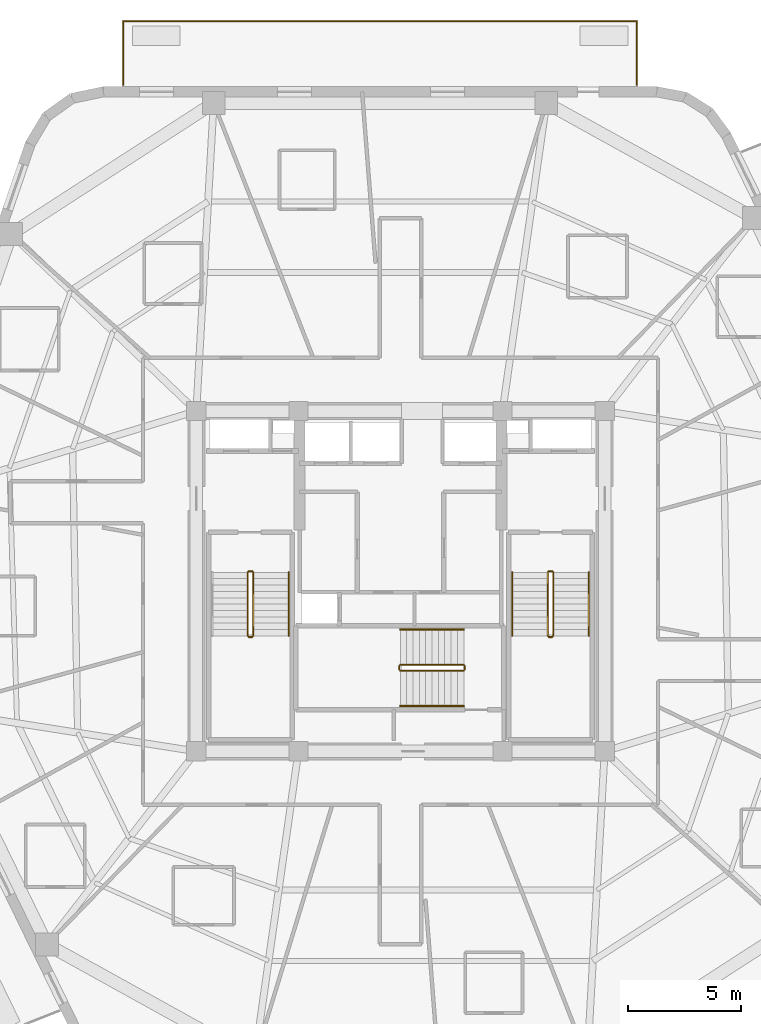
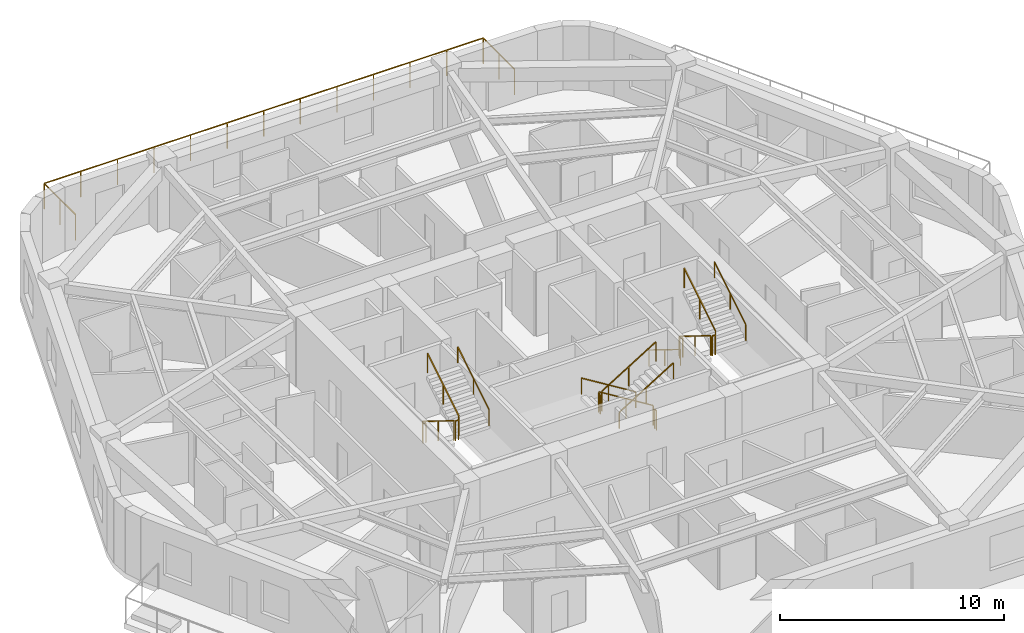
# One storey, part 9 of 10: 18 railings.
"""IFC4 building model written with IfcOpenShell, lengths in metres."""

from ifc_helpers import new_model, si_unit, direction, frame, origin, origin_2d, place, context, subcontext, project, spatial, rectangle, extrude, material, layer, layer_set, type_object, element, save


model = new_model("IFC4")

# Units and contexts
model_context = context("Model", 3, precision=1e-05, world=origin(), true_north=direction((0.0, 1.0)))
body_context = subcontext(model_context, "Body", "Model", "MODEL_VIEW")
ifc_project = project(units=[si_unit("LENGTHUNIT", "METRE"), si_unit("AREAUNIT", "SQUARE_METRE"), si_unit("VOLUMEUNIT", "CUBIC_METRE"), si_unit("PLANEANGLEUNIT", "RADIAN"), si_unit("MASSUNIT", "GRAM", prefix="KILO")], contexts=[model_context])

# Site, building, storey
site_placement = place(None, origin())
site = spatial("IfcSite", under=ifc_project, at=site_placement, CompositionType="ELEMENT")
building_placement = place(site_placement, origin())
building = spatial("IfcBuilding", under=site, at=building_placement, Name="Kilnhurst Terrace Hotel", CompositionType="ELEMENT")
storey_placement = place(building_placement, frame((0.0, 0.0, 244.5)))
storey = spatial("IfcBuildingStorey", under=building, at=storey_placement, Name="L61", CompositionType="ELEMENT", Elevation=244.5)

# Railings
ifc_material_1 = material(Name="Laminated SentryGlas and Stainless Steel AISI 316L Balustrade", Category="steel")
ifc_layer_1 = layer(ifc_material_1, 0.070068359375, Name="Laminated SentryGlas and Stainless Steel AISI 316L Balustrade")
ifc_layer_set_1 = layer_set([ifc_layer_1], Name="Laminated SentryGlas and Stainless Steel AISI 316L Balustrade")
railing_type_1 = type_object("IfcRailingType", Name="RLG-BAL-1420", PredefinedType="BALUSTRADE", material=ifc_layer_set_1)
railing_1_placement = place(storey_placement, frame((-12.21484375, 21.8798828125, 0.0)))
element("IfcRailing", 1, at=railing_1_placement, inside=storey, type_object=railing_type_1, Name="L61 Exterior Terrace Guardrail BAL-L1B.1", PredefinedType="BALUSTRADE", context=body_context, shape_type="SweptSolid", body=[
    extrude(rectangle(XDim=0.048095703125, YDim=0.048095703125, at=origin_2d()), frame((0.0, 0.0, 1.39599609375), z_axis=(0.0, 1.0, 0.0), x_axis=(-1.0, 0.0, 0.0)), (0.0, 0.0, 1.0), 2.800048828125),
    extrude(rectangle(XDim=0.048095703125, YDim=0.048095703125, at=origin_2d()), frame((0.0, 2.800048828125, 1.39599609375), z_axis=(1.0, 0.0, 0.0), x_axis=(0.0, 1.0, 0.0)), (0.0, 0.0, 1.0), 22.62353515625),
    extrude(rectangle(XDim=0.048095703125, YDim=0.048095703125, at=origin_2d()), frame((22.62353515625, 2.800048828125, 1.39599609375), z_axis=(0.0, -1.0, 0.0), x_axis=(1.0, 0.0, 0.0)), (0.0, 0.0, 1.0), 2.800048828125),
    extrude(rectangle(XDim=0.0419921875, YDim=0.0419921875, at=origin_2d()), origin(), (0.0, 0.0, 1.0), 1.371826171875),
    extrude(rectangle(XDim=0.0419921875, YDim=0.0419921875, at=origin_2d()), frame((0.0, 1.39990234375, 0.0)), (0.0, 0.0, 1.0), 1.371826171875),
    extrude(rectangle(XDim=0.0419921875, YDim=0.0419921875, at=origin_2d()), frame((0.0, 2.800048828125, 0.0)), (0.0, 0.0, 1.0), 1.371826171875),
    extrude(rectangle(XDim=0.0419921875, YDim=0.0419921875, at=origin_2d()), frame((1.88525390625, 2.800048828125, 0.0)), (0.0, 0.0, 1.0), 1.371826171875),
    extrude(rectangle(XDim=0.0419921875, YDim=0.0419921875, at=origin_2d()), frame((3.7705078125, 2.800048828125, 0.0)), (0.0, 0.0, 1.0), 1.371826171875),
    extrude(rectangle(XDim=0.0419921875, YDim=0.0419921875, at=origin_2d()), frame((5.65576171875, 2.800048828125, 0.0)), (0.0, 0.0, 1.0), 1.371826171875),
    extrude(rectangle(XDim=0.0419921875, YDim=0.0419921875, at=origin_2d()), frame((7.541259765625, 2.800048828125, 0.0)), (0.0, 0.0, 1.0), 1.371826171875),
    extrude(rectangle(XDim=0.0419921875, YDim=0.0419921875, at=origin_2d()), frame((9.426513671875, 2.800048828125, 0.0)), (0.0, 0.0, 1.0), 1.371826171875),
    extrude(rectangle(XDim=0.0419921875, YDim=0.0419921875, at=origin_2d()), frame((11.311767578125, 2.800048828125, 0.0)), (0.0, 0.0, 1.0), 1.371826171875),
    extrude(rectangle(XDim=0.0419921875, YDim=0.0419921875, at=origin_2d()), frame((13.197021484375, 2.800048828125, 0.0)), (0.0, 0.0, 1.0), 1.371826171875),
    extrude(rectangle(XDim=0.0419921875, YDim=0.0419921875, at=origin_2d()), frame((15.082275390625, 2.800048828125, 0.0)), (0.0, 0.0, 1.0), 1.371826171875),
    extrude(rectangle(XDim=0.0419921875, YDim=0.0419921875, at=origin_2d()), frame((16.9677734375, 2.800048828125, 0.0)), (0.0, 0.0, 1.0), 1.371826171875),
    extrude(rectangle(XDim=0.0419921875, YDim=0.0419921875, at=origin_2d()), frame((18.85302734375, 2.800048828125, 0.0)), (0.0, 0.0, 1.0), 1.371826171875),
    extrude(rectangle(XDim=0.0419921875, YDim=0.0419921875, at=origin_2d()), frame((20.73828125, 2.800048828125, 0.0)), (0.0, 0.0, 1.0), 1.371826171875),
    extrude(rectangle(XDim=0.0419921875, YDim=0.0419921875, at=origin_2d()), frame((22.62353515625, 2.800048828125, 0.0)), (0.0, 0.0, 1.0), 1.371826171875),
    extrude(rectangle(XDim=0.0419921875, YDim=0.0419921875, at=origin_2d()), frame((22.62353515625, 1.39990234375, 0.0)), (0.0, 0.0, 1.0), 1.371826171875),
    extrude(rectangle(XDim=0.0419921875, YDim=0.0419921875, at=origin_2d()), frame((22.62353515625, 0.0, 0.0)), (0.0, 0.0, 1.0), 1.371826171875),
])
ifc_material_2 = material(Name="Powder-Coated Steel ASTM A500 Grade B", Category="steel")
ifc_layer_2 = layer(ifc_material_2, 0.050048828125, Name="Powder-Coated Steel ASTM A500 Grade B")
ifc_layer_set_2 = layer_set([ifc_layer_2], Name="Powder-Coated Steel ASTM A500 Grade B")
railing_type_2 = type_object("IfcRailingType", Name="RLG-ST-GRD-1100", PredefinedType="GUARDRAIL", material=ifc_layer_set_2)
railing_2_placement = place(storey_placement, frame((-6.739990234375, 0.389892578125, 0.172607421875)))
element("IfcRailing", 2, at=railing_2_placement, inside=storey, type_object=railing_type_2, Name="L61 ST-1 stair guard 1", PredefinedType="GUARDRAIL", context=body_context, shape_type="SweptSolid", body=[
    extrude(rectangle(XDim=0.048095703125, YDim=0.048095703125, at=origin_2d()), frame((0.0, 0.0, 1.076171875), z_axis=(0.0, -0.851069175582, 0.525053576669), x_axis=(1.0, 0.0, 0.0)), (0.0, 0.0, 1.0), 3.289794921875),
    extrude(rectangle(XDim=0.0419921875, YDim=0.0419921875, at=origin_2d()), origin(), (0.0, 0.0, 1.0), 1.052001953125),
    extrude(rectangle(XDim=0.0419921875, YDim=0.0419921875, at=origin_2d()), frame((0.0, -1.39990234375, 0.86376953125)), (0.0, 0.0, 1.0), 1.052001953125),
    extrude(rectangle(XDim=0.0419921875, YDim=0.0419921875, at=origin_2d()), frame((0.0, -2.7998046875, 1.727294921875)), (0.0, 0.0, 1.0), 1.052001953125),
])
railing_3_placement = place(storey_placement, frame((-6.68994140625, -2.4599609375, 1.89990234375)))
element("IfcRailing", 3, at=railing_3_placement, inside=storey, type_object=railing_type_2, Name="L61 ST-1 stair guard 2", PredefinedType="GUARDRAIL", context=body_context, shape_type="SweptSolid", body=[
    extrude(rectangle(XDim=0.048095703125, YDim=0.048095703125, at=origin_2d()), frame((0.0, 0.0, 1.076171875), z_axis=(1.0, 0.0, 0.0), x_axis=(0.0, 1.0, 0.0)), (0.0, 0.0, 1.0), 0.14990234375),
    extrude(rectangle(XDim=0.0419921875, YDim=0.0419921875, at=origin_2d()), origin(), (0.0, 0.0, 1.0), 1.052001953125),
    extrude(rectangle(XDim=0.0419921875, YDim=0.0419921875, at=origin_2d()), frame((0.14990234375, 0.0, 0.0)), (0.0, 0.0, 1.0), 1.052001953125),
])
railing_4_placement = place(storey_placement, frame((-6.489990234375, -2.409912109375, 2.07275390625)))
element("IfcRailing", 4, at=railing_4_placement, inside=storey, type_object=railing_type_2, Name="L61 ST-1 stair guard 3", PredefinedType="GUARDRAIL", context=body_context, shape_type="SweptSolid", body=[
    extrude(rectangle(XDim=0.048095703125, YDim=0.048095703125, at=origin_2d()), frame((0.0, 0.0, 1.076171875), z_axis=(0.0, 0.851069175582, 0.525053576669), x_axis=(-1.0, 0.0, 0.0)), (0.0, 0.0, 1.0), 3.289794921875),
    extrude(rectangle(XDim=0.0419921875, YDim=0.0419921875, at=origin_2d()), origin(), (0.0, 0.0, 1.0), 1.052001953125),
    extrude(rectangle(XDim=0.0419921875, YDim=0.0419921875, at=origin_2d()), frame((0.0, 1.39990234375, 0.86376953125)), (0.0, 0.0, 1.0), 1.052001953125),
    extrude(rectangle(XDim=0.0419921875, YDim=0.0419921875, at=origin_2d()), frame((0.0, 2.7998046875, 1.727294921875)), (0.0, 0.0, 1.0), 1.052001953125),
])
railing_5_placement = place(storey_placement, frame((-6.68994140625, 0.43994140625, 0.0)))
element("IfcRailing", 5, at=railing_5_placement, inside=storey, type_object=railing_type_2, Name="L61 ST-1 stair guard 4", PredefinedType="GUARDRAIL", context=body_context, shape_type="SweptSolid", body=[
    extrude(rectangle(XDim=0.048095703125, YDim=0.048095703125, at=origin_2d()), frame((0.0, 0.0, 1.076171875), z_axis=(1.0, 0.0, 0.0), x_axis=(0.0, 1.0, 0.0)), (0.0, 0.0, 1.0), 0.14990234375),
    extrude(rectangle(XDim=0.0419921875, YDim=0.0419921875, at=origin_2d()), origin(), (0.0, 0.0, 1.0), 1.052001953125),
    extrude(rectangle(XDim=0.0419921875, YDim=0.0419921875, at=origin_2d()), frame((0.14990234375, 0.0, 0.0)), (0.0, 0.0, 1.0), 1.052001953125),
])
railing_6_placement = place(storey_placement, frame((6.489990234375, 0.389892578125, 0.172607421875)))
element("IfcRailing", 6, at=railing_6_placement, inside=storey, type_object=railing_type_2, Name="L61 ST-2 stair guard 1", PredefinedType="GUARDRAIL", context=body_context, shape_type="SweptSolid", body=[
    extrude(rectangle(XDim=0.048095703125, YDim=0.048095703125, at=origin_2d()), frame((0.0, 0.0, 1.076171875), z_axis=(0.0, -0.851069175582, 0.525053576669), x_axis=(1.0, 0.0, 0.0)), (0.0, 0.0, 1.0), 3.289794921875),
    extrude(rectangle(XDim=0.0419921875, YDim=0.0419921875, at=origin_2d()), origin(), (0.0, 0.0, 1.0), 1.052001953125),
    extrude(rectangle(XDim=0.0419921875, YDim=0.0419921875, at=origin_2d()), frame((0.0, -1.39990234375, 0.86376953125)), (0.0, 0.0, 1.0), 1.052001953125),
    extrude(rectangle(XDim=0.0419921875, YDim=0.0419921875, at=origin_2d()), frame((0.0, -2.7998046875, 1.727294921875)), (0.0, 0.0, 1.0), 1.052001953125),
])
railing_7_placement = place(storey_placement, frame((6.5400390625, -2.4599609375, 1.89990234375)))
element("IfcRailing", 7, at=railing_7_placement, inside=storey, type_object=railing_type_2, Name="L61 ST-2 stair guard 2", PredefinedType="GUARDRAIL", context=body_context, shape_type="SweptSolid", body=[
    extrude(rectangle(XDim=0.048095703125, YDim=0.048095703125, at=origin_2d()), frame((0.0, 0.0, 1.076171875), z_axis=(1.0, 0.0, 0.0), x_axis=(0.0, 1.0, 0.0)), (0.0, 0.0, 1.0), 0.14990234375),
    extrude(rectangle(XDim=0.0419921875, YDim=0.0419921875, at=origin_2d()), origin(), (0.0, 0.0, 1.0), 1.052001953125),
    extrude(rectangle(XDim=0.0419921875, YDim=0.0419921875, at=origin_2d()), frame((0.14990234375, 0.0, 0.0)), (0.0, 0.0, 1.0), 1.052001953125),
])
railing_8_placement = place(storey_placement, frame((6.739990234375, -2.409912109375, 2.07275390625)))
element("IfcRailing", 8, at=railing_8_placement, inside=storey, type_object=railing_type_2, Name="L61 ST-2 stair guard 3", PredefinedType="GUARDRAIL", context=body_context, shape_type="SweptSolid", body=[
    extrude(rectangle(XDim=0.048095703125, YDim=0.048095703125, at=origin_2d()), frame((0.0, 0.0, 1.076171875), z_axis=(0.0, 0.851069175582, 0.525053576669), x_axis=(-1.0, 0.0, 0.0)), (0.0, 0.0, 1.0), 3.289794921875),
    extrude(rectangle(XDim=0.0419921875, YDim=0.0419921875, at=origin_2d()), origin(), (0.0, 0.0, 1.0), 1.052001953125),
    extrude(rectangle(XDim=0.0419921875, YDim=0.0419921875, at=origin_2d()), frame((0.0, 1.39990234375, 0.86376953125)), (0.0, 0.0, 1.0), 1.052001953125),
    extrude(rectangle(XDim=0.0419921875, YDim=0.0419921875, at=origin_2d()), frame((0.0, 2.7998046875, 1.727294921875)), (0.0, 0.0, 1.0), 1.052001953125),
])
railing_9_placement = place(storey_placement, frame((6.5400390625, 0.43994140625, 0.0)))
element("IfcRailing", 9, at=railing_9_placement, inside=storey, type_object=railing_type_2, Name="L61 ST-2 stair guard 4", PredefinedType="GUARDRAIL", context=body_context, shape_type="SweptSolid", body=[
    extrude(rectangle(XDim=0.048095703125, YDim=0.048095703125, at=origin_2d()), frame((0.0, 0.0, 1.076171875), z_axis=(1.0, 0.0, 0.0), x_axis=(0.0, 1.0, 0.0)), (0.0, 0.0, 1.0), 0.14990234375),
    extrude(rectangle(XDim=0.0419921875, YDim=0.0419921875, at=origin_2d()), origin(), (0.0, 0.0, 1.0), 1.052001953125),
    extrude(rectangle(XDim=0.0419921875, YDim=0.0419921875, at=origin_2d()), frame((0.14990234375, 0.0, 0.0)), (0.0, 0.0, 1.0), 1.052001953125),
])
railing_10_placement = place(storey_placement, frame((2.7900390625, -3.68994140625, 0.172607421875)))
element("IfcRailing", 10, at=railing_10_placement, inside=storey, type_object=railing_type_2, Name="L61 ST-3 stair guard 1", PredefinedType="GUARDRAIL", context=body_context, shape_type="SweptSolid", body=[
    extrude(rectangle(XDim=0.048095703125, YDim=0.048095703125, at=origin_2d()), frame((0.0, 0.0, 1.076171875), z_axis=(-0.851089632645, 0.0, 0.525020415988), x_axis=(0.0, -1.0, 0.0)), (0.0, 0.0, 1.0), 3.2900390625),
    extrude(rectangle(XDim=0.0419921875, YDim=0.0419921875, at=origin_2d()), origin(), (0.0, 0.0, 1.0), 1.052001953125),
    extrude(rectangle(XDim=0.0419921875, YDim=0.0419921875, at=origin_2d()), frame((-1.39990234375, 0.0, 0.86376953125)), (0.0, 0.0, 1.0), 1.052001953125),
    extrude(rectangle(XDim=0.0419921875, YDim=0.0419921875, at=origin_2d()), frame((-2.800048828125, 0.0, 1.727294921875)), (0.0, 0.0, 1.0), 1.052001953125),
])
railing_11_placement = place(storey_placement, frame((-0.06005859375, -3.739990234375, 1.89990234375)))
element("IfcRailing", 11, at=railing_11_placement, inside=storey, type_object=railing_type_2, Name="L61 ST-3 stair guard 2", PredefinedType="GUARDRAIL", context=body_context, shape_type="SweptSolid", body=[
    extrude(rectangle(XDim=0.048095703125, YDim=0.048095703125, at=origin_2d()), frame((0.0, 0.0, 1.076171875), z_axis=(0.0, -1.0, 0.0), x_axis=(1.0, 0.0, 0.0)), (0.0, 0.0, 1.0), 0.14990234375),
    extrude(rectangle(XDim=0.0419921875, YDim=0.0419921875, at=origin_2d()), origin(), (0.0, 0.0, 1.0), 1.052001953125),
    extrude(rectangle(XDim=0.0419921875, YDim=0.0419921875, at=origin_2d()), frame((0.0, -0.14990234375, 0.0)), (0.0, 0.0, 1.0), 1.052001953125),
])
railing_12_placement = place(storey_placement, frame((-0.010009765625, -3.93994140625, 2.07275390625)))
element("IfcRailing", 12, at=railing_12_placement, inside=storey, type_object=railing_type_2, Name="L61 ST-3 stair guard 3", PredefinedType="GUARDRAIL", context=body_context, shape_type="SweptSolid", body=[
    extrude(rectangle(XDim=0.048095703125, YDim=0.048095703125, at=origin_2d()), frame((0.0, 0.0, 1.076171875), z_axis=(0.851089632645, 0.0, 0.525020415988), x_axis=(0.0, 1.0, 0.0)), (0.0, 0.0, 1.0), 3.2900390625),
    extrude(rectangle(XDim=0.0419921875, YDim=0.0419921875, at=origin_2d()), origin(), (0.0, 0.0, 1.0), 1.052001953125),
    extrude(rectangle(XDim=0.0419921875, YDim=0.0419921875, at=origin_2d()), frame((1.39990234375, 0.0, 0.86376953125)), (0.0, 0.0, 1.0), 1.052001953125),
    extrude(rectangle(XDim=0.0419921875, YDim=0.0419921875, at=origin_2d()), frame((2.800048828125, 0.0, 1.727294921875)), (0.0, 0.0, 1.0), 1.052001953125),
])
railing_13_placement = place(storey_placement, frame((2.840087890625, -3.739990234375, 0.0)))
element("IfcRailing", 13, at=railing_13_placement, inside=storey, type_object=railing_type_2, Name="L61 ST-3 stair guard 4", PredefinedType="GUARDRAIL", context=body_context, shape_type="SweptSolid", body=[
    extrude(rectangle(XDim=0.048095703125, YDim=0.048095703125, at=origin_2d()), frame((0.0, 0.0, 1.076171875), z_axis=(0.0, -1.0, 0.0), x_axis=(1.0, 0.0, 0.0)), (0.0, 0.0, 1.0), 0.14990234375),
    extrude(rectangle(XDim=0.0419921875, YDim=0.0419921875, at=origin_2d()), origin(), (0.0, 0.0, 1.0), 1.052001953125),
    extrude(rectangle(XDim=0.0419921875, YDim=0.0419921875, at=origin_2d()), frame((0.0, -0.14990234375, 0.0)), (0.0, 0.0, 1.0), 1.052001953125),
])
ifc_material_3 = material(Name="Brushed Stainless Steel AISI 304", Category="steel")
ifc_layer_3 = layer(ifc_material_3, 0.048095703125, Name="Brushed Stainless Steel AISI 304")
ifc_layer_set_3 = layer_set([ifc_layer_3], Name="Brushed Stainless Steel AISI 304")
railing_type_3 = type_object("IfcRailingType", Name="RLG-ST-HRL-900", PredefinedType="HANDRAIL", material=ifc_layer_set_3)
railing_14_placement = place(storey_placement, frame((-4.929931640625, -2.409912109375, 2.07275390625)))
element("IfcRailing", 14, at=railing_14_placement, inside=storey, type_object=railing_type_3, Name="L61 ST-1 stair handrail 2", PredefinedType="HANDRAIL", context=body_context, shape_type="SweptSolid", body=[
    extrude(rectangle(XDim=0.048095703125, YDim=0.048095703125, at=origin_2d()), frame((0.0, 0.0, 0.8759765625), z_axis=(0.0, 0.851069175582, 0.525053576669), x_axis=(-1.0, 0.0, 0.0)), (0.0, 0.0, 1.0), 3.289794921875),
    extrude(rectangle(XDim=0.0419921875, YDim=0.0419921875, at=origin_2d()), origin(), (0.0, 0.0, 1.0), 0.851806640625),
    extrude(rectangle(XDim=0.0419921875, YDim=0.0419921875, at=origin_2d()), frame((0.0, 1.39990234375, 0.86376953125)), (0.0, 0.0, 1.0), 0.851806640625),
    extrude(rectangle(XDim=0.0419921875, YDim=0.0419921875, at=origin_2d()), frame((0.0, 2.7998046875, 1.727294921875)), (0.0, 0.0, 1.0), 0.851806640625),
])
railing_15_placement = place(storey_placement, frame((4.929931640625, 0.389892578125, 0.172607421875)))
element("IfcRailing", 15, at=railing_15_placement, inside=storey, type_object=railing_type_3, Name="L61 ST-2 stair handrail 1", PredefinedType="HANDRAIL", context=body_context, shape_type="SweptSolid", body=[
    extrude(rectangle(XDim=0.048095703125, YDim=0.048095703125, at=origin_2d()), frame((0.0, 0.0, 0.8759765625), z_axis=(0.0, -0.851069175582, 0.525053576669), x_axis=(1.0, 0.0, 0.0)), (0.0, 0.0, 1.0), 3.289794921875),
    extrude(rectangle(XDim=0.0419921875, YDim=0.0419921875, at=origin_2d()), origin(), (0.0, 0.0, 1.0), 0.851806640625),
    extrude(rectangle(XDim=0.0419921875, YDim=0.0419921875, at=origin_2d()), frame((0.0, -1.39990234375, 0.86376953125)), (0.0, 0.0, 1.0), 0.851806640625),
    extrude(rectangle(XDim=0.0419921875, YDim=0.0419921875, at=origin_2d()), frame((0.0, -2.7998046875, 1.727294921875)), (0.0, 0.0, 1.0), 0.851806640625),
])
railing_16_placement = place(storey_placement, frame((8.300048828125, -2.409912109375, 2.07275390625)))
element("IfcRailing", 16, at=railing_16_placement, inside=storey, type_object=railing_type_3, Name="L61 ST-2 stair handrail 2", PredefinedType="HANDRAIL", context=body_context, shape_type="SweptSolid", body=[
    extrude(rectangle(XDim=0.048095703125, YDim=0.048095703125, at=origin_2d()), frame((0.0, 0.0, 0.8759765625), z_axis=(0.0, 0.851069175582, 0.525053576669), x_axis=(-1.0, 0.0, 0.0)), (0.0, 0.0, 1.0), 3.289794921875),
    extrude(rectangle(XDim=0.0419921875, YDim=0.0419921875, at=origin_2d()), origin(), (0.0, 0.0, 1.0), 0.851806640625),
    extrude(rectangle(XDim=0.0419921875, YDim=0.0419921875, at=origin_2d()), frame((0.0, 1.39990234375, 0.86376953125)), (0.0, 0.0, 1.0), 0.851806640625),
    extrude(rectangle(XDim=0.0419921875, YDim=0.0419921875, at=origin_2d()), frame((0.0, 2.7998046875, 1.727294921875)), (0.0, 0.0, 1.0), 0.851806640625),
])
railing_17_placement = place(storey_placement, frame((2.7900390625, -2.1298828125, 0.172607421875)))
element("IfcRailing", 17, at=railing_17_placement, inside=storey, type_object=railing_type_3, Name="L61 ST-3 stair handrail 1", PredefinedType="HANDRAIL", context=body_context, shape_type="SweptSolid", body=[
    extrude(rectangle(XDim=0.048095703125, YDim=0.048095703125, at=origin_2d()), frame((0.0, 0.0, 0.8759765625), z_axis=(-0.851089632645, 0.0, 0.525020415988), x_axis=(0.0, -1.0, 0.0)), (0.0, 0.0, 1.0), 3.2900390625),
    extrude(rectangle(XDim=0.0419921875, YDim=0.0419921875, at=origin_2d()), origin(), (0.0, 0.0, 1.0), 0.851806640625),
    extrude(rectangle(XDim=0.0419921875, YDim=0.0419921875, at=origin_2d()), frame((-1.39990234375, 0.0, 0.86376953125)), (0.0, 0.0, 1.0), 0.851806640625),
    extrude(rectangle(XDim=0.0419921875, YDim=0.0419921875, at=origin_2d()), frame((-2.800048828125, 0.0, 1.727294921875)), (0.0, 0.0, 1.0), 0.851806640625),
])
railing_18_placement = place(storey_placement, frame((-0.010009765625, -5.5, 2.07275390625)))
element("IfcRailing", 18, at=railing_18_placement, inside=storey, type_object=railing_type_3, Name="L61 ST-3 stair handrail 2", PredefinedType="HANDRAIL", context=body_context, shape_type="SweptSolid", body=[
    extrude(rectangle(XDim=0.048095703125, YDim=0.048095703125, at=origin_2d()), frame((0.0, 0.0, 0.8759765625), z_axis=(0.851089632645, 0.0, 0.525020415988), x_axis=(0.0, 1.0, 0.0)), (0.0, 0.0, 1.0), 3.2900390625),
    extrude(rectangle(XDim=0.0419921875, YDim=0.0419921875, at=origin_2d()), origin(), (0.0, 0.0, 1.0), 0.851806640625),
    extrude(rectangle(XDim=0.0419921875, YDim=0.0419921875, at=origin_2d()), frame((1.39990234375, 0.0, 0.86376953125)), (0.0, 0.0, 1.0), 0.851806640625),
    extrude(rectangle(XDim=0.0419921875, YDim=0.0419921875, at=origin_2d()), frame((2.800048828125, 0.0, 1.727294921875)), (0.0, 0.0, 1.0), 0.851806640625),
])

save(model, "model.ifc")
